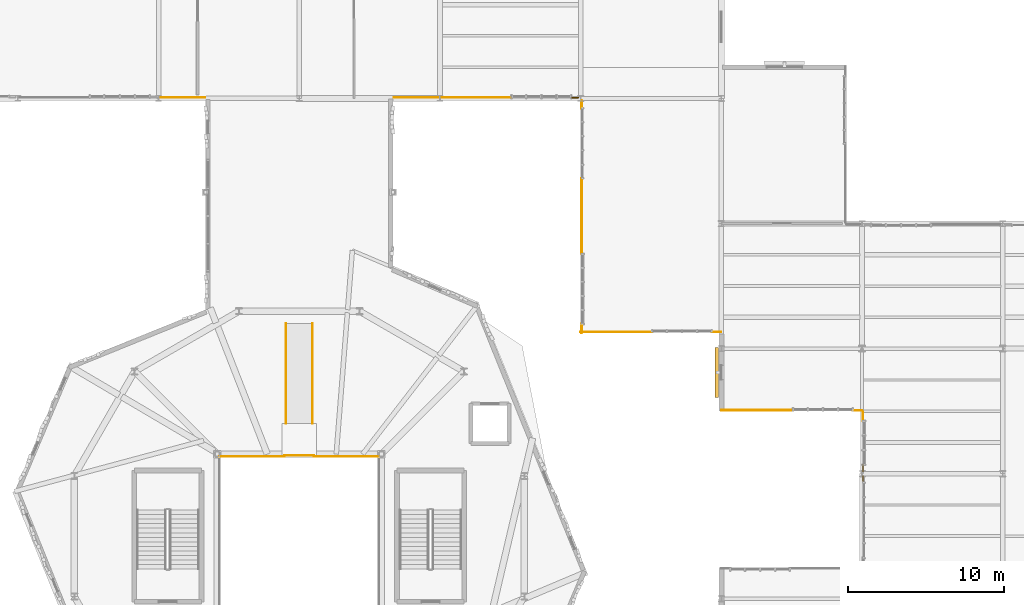
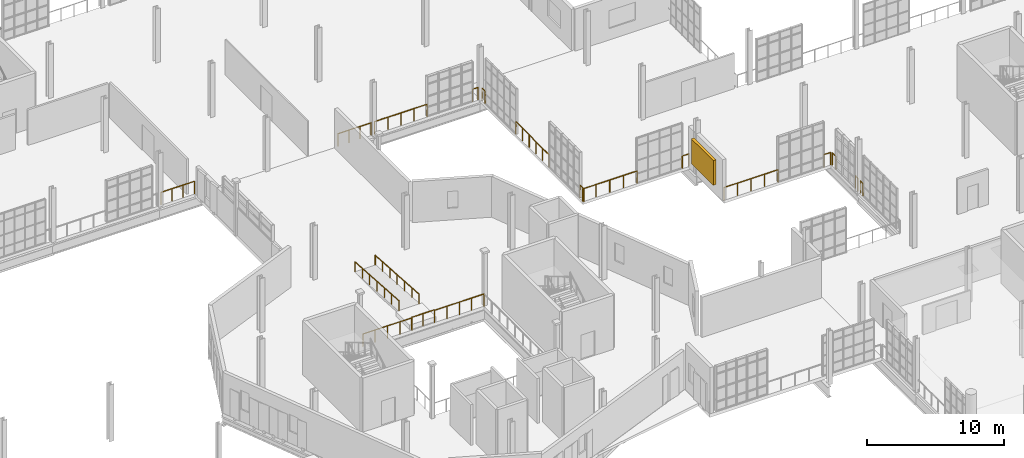
# One storey, part 116 of 122: 19 railings, 1 shading device.
"""IFC4 building model written with IfcOpenShell, lengths in metres."""

from ifc_helpers import new_model, si_unit, direction, frame, frame_2d, origin, origin_2d, place, context, subcontext, project, spatial, rectangle, circle, extrude, material, type_object, element, save


model = new_model("IFC4")

# Units and contexts
model_context = context("Model", 3, precision=1e-05, world=origin(), true_north=direction((0.0, 1.0)))
body_context = subcontext(model_context, "Body", "Model", "MODEL_VIEW")
ifc_project = project(units=[si_unit("LENGTHUNIT", "METRE"), si_unit("AREAUNIT", "SQUARE_METRE"), si_unit("VOLUMEUNIT", "CUBIC_METRE"), si_unit("PLANEANGLEUNIT", "RADIAN"), si_unit("MASSUNIT", "GRAM", prefix="KILO"), si_unit("THERMODYNAMICTEMPERATUREUNIT", "KELVIN"), si_unit("POWERUNIT", "WATT")], contexts=[model_context])

# Site, building, storey
site_placement = place(None, origin())
site = spatial("IfcSite", under=ifc_project, at=site_placement, CompositionType="ELEMENT")
building_placement = place(site_placement, origin())
building = spatial("IfcBuilding", under=site, at=building_placement, Name="Zelmaris Science Centre", CompositionType="ELEMENT")
storey_placement = place(building_placement, frame((0.0, 0.0, 10.800048828125)))
storey = spatial("IfcBuildingStorey", under=building, at=storey_placement, Name="L02", CompositionType="ELEMENT", Elevation=10.800048828125)

# Railings
ifc_material = material(Name="Architectural bronze alloy C28000")
railing_type_1 = type_object("IfcRailingType", Name="Balustrade GD-01 H1120", PredefinedType="BALUSTRADE", material=ifc_material)
for number, where, name in (
    (1, (86.10009765625, 41.10009765625, 0.0), "L02 Atrium void balustrade 12"),
    (2, (80.050048828125, 41.10009765625, 0.0), "L02 Atrium void balustrade 13"),
):
    element("IfcRailing", number, at=place(storey_placement, frame(where)), inside=storey, type_object=railing_type_1, Name=name, PredefinedType="BALUSTRADE", context=body_context, shape_type="SweptSolid", body=[
        extrude(circle(Radius=0.02392578125, at=origin_2d()), frame((0.0, 0.0, 1.09619140625), z_axis=(-1.0, 0.0, 0.0), x_axis=(0.0, -1.0, 0.0)), (0.0, 0.0, 1.0), 4.150146484375),
        extrude(circle(Radius=0.02099609375, at=origin_2d()), origin(), (0.0, 0.0, 1.0), 1.072021484375),
        extrude(circle(Radius=0.02099609375, at=origin_2d()), frame((-1.03759765625, 0.0, 0.0)), (0.0, 0.0, 1.0), 1.072021484375),
        extrude(circle(Radius=0.02099609375, at=origin_2d()), frame((-2.0751953125, 0.0, 0.0)), (0.0, 0.0, 1.0), 1.072021484375),
        extrude(circle(Radius=0.02099609375, at=origin_2d()), frame((-3.112548828125, 0.0, 0.0)), (0.0, 0.0, 1.0), 1.072021484375),
        extrude(circle(Radius=0.02099609375, at=origin_2d()), frame((-4.150146484375, 0.0, 0.0)), (0.0, 0.0, 1.0), 1.072021484375),
    ])
railing_1_placement = place(storey_placement, frame((74.962890625, 64.055419921875, 0.0)))
element("IfcRailing", 3, at=railing_1_placement, inside=storey, type_object=railing_type_1, Name="L02 Perimeter safety balustrade 160", PredefinedType="BALUSTRADE", context=body_context, shape_type="SweptSolid", body=[
    extrude(circle(Radius=0.02392578125, at=origin_2d()), frame((0.0, 0.0, 1.09619140625), z_axis=(-0.99999996615, 0.000260190798, 0.0), x_axis=(-0.000260190798, -0.99999996615, 0.0)), (0.0, 0.0, 1.0), 2.81494140625),
    extrude(circle(Radius=0.02099609375, at=origin_2d()), origin(), (0.0, 0.0, 1.0), 1.072021484375),
    extrude(circle(Radius=0.02099609375, at=origin_2d()), frame((-0.938232421875, 0.000244140625, 0.0)), (0.0, 0.0, 1.0), 1.072021484375),
    extrude(circle(Radius=0.02099609375, at=origin_2d()), frame((-1.876708984375, 0.00048828125, 0.0)), (0.0, 0.0, 1.0), 1.072021484375),
    extrude(circle(Radius=0.02099609375, at=origin_2d()), frame((-2.81494140625, 0.000732421875, 0.0)), (0.0, 0.0, 1.0), 1.072021484375),
])
railing_2_placement = place(storey_placement, frame((99.06005859375, 49.0, 0.0)))
element("IfcRailing", 4, at=railing_2_placement, inside=storey, type_object=railing_type_1, Name="L02 Perimeter safety balustrade 188", PredefinedType="BALUSTRADE", context=body_context, shape_type="SweptSolid", body=[
    extrude(circle(Radius=0.02392578125, at=origin_2d()), frame((0.0, 0.0, 1.09619140625), z_axis=(0.0, 1.0, 0.0), x_axis=(-1.0, 0.0, 0.0)), (0.0, 0.0, 1.0), 0.570068359375),
    extrude(circle(Radius=0.02099609375, at=origin_2d()), origin(), (0.0, 0.0, 1.0), 1.072021484375),
    extrude(circle(Radius=0.02099609375, at=origin_2d()), frame((0.0, 0.570068359375, 0.0)), (0.0, 0.0, 1.0), 1.072021484375),
])
railing_3_placement = place(storey_placement, frame((99.06005859375, 54.050048828125, 0.0)))
element("IfcRailing", 5, at=railing_3_placement, inside=storey, type_object=railing_type_1, Name="L02 Perimeter safety balustrade 189", PredefinedType="BALUSTRADE", context=body_context, shape_type="SweptSolid", body=[
    extrude(circle(Radius=0.02392578125, at=origin_2d()), frame((0.0, 0.0, 1.09619140625), z_axis=(0.0, 1.0, 0.0), x_axis=(-1.0, 0.0, 0.0)), (0.0, 0.0, 1.0), 4.83984375),
    extrude(circle(Radius=0.02099609375, at=origin_2d()), origin(), (0.0, 0.0, 1.0), 1.072021484375),
    extrude(circle(Radius=0.02099609375, at=origin_2d()), frame((0.0, 0.968017578125, 0.0)), (0.0, 0.0, 1.0), 1.072021484375),
    extrude(circle(Radius=0.02099609375, at=origin_2d()), frame((0.0, 1.93603515625, 0.0)), (0.0, 0.0, 1.0), 1.072021484375),
    extrude(circle(Radius=0.02099609375, at=origin_2d()), frame((0.0, 2.90380859375, 0.0)), (0.0, 0.0, 1.0), 1.072021484375),
    extrude(circle(Radius=0.02099609375, at=origin_2d()), frame((0.0, 3.871826171875, 0.0)), (0.0, 0.0, 1.0), 1.072021484375),
    extrude(circle(Radius=0.02099609375, at=origin_2d()), frame((0.0, 4.83984375, 0.0)), (0.0, 0.0, 1.0), 1.072021484375),
])
railing_4_placement = place(storey_placement, frame((99.06005859375, 63.3701171875, 0.0)))
element("IfcRailing", 6, at=railing_4_placement, inside=storey, type_object=railing_type_1, Name="L02 Perimeter safety balustrade 190", PredefinedType="BALUSTRADE", context=body_context, shape_type="SweptSolid", body=[
    extrude(circle(Radius=0.02392578125, at=origin_2d()), frame((0.0, 0.0, 1.09619140625), z_axis=(0.0, 1.0, 0.0), x_axis=(-1.0, 0.0, 0.0)), (0.0, 0.0, 1.0), 0.48193359375),
    extrude(circle(Radius=0.02099609375, at=origin_2d()), origin(), (0.0, 0.0, 1.0), 1.072021484375),
    extrude(circle(Radius=0.02099609375, at=origin_2d()), frame((0.0, 0.48193359375, 0.0)), (0.0, 0.0, 1.0), 1.072021484375),
])
railing_5_placement = place(storey_placement, frame((98.85205078125, 64.052978515625, 0.0)))
element("IfcRailing", 7, at=railing_5_placement, inside=storey, type_object=railing_type_1, Name="L02 Perimeter safety balustrade 191", PredefinedType="BALUSTRADE", context=body_context, shape_type="SweptSolid", body=[
    extrude(circle(Radius=0.02392578125, at=origin_2d()), frame((0.0, 0.0, 1.09619140625), z_axis=(-0.999999855163, 0.000538213054, 0.0), x_axis=(-0.000538213054, -0.999999855163, 0.0)), (0.0, 0.0, 1.0), 0.45361328125),
    extrude(circle(Radius=0.02099609375, at=origin_2d()), origin(), (0.0, 0.0, 1.0), 1.072021484375),
    extrude(circle(Radius=0.02099609375, at=origin_2d()), frame((-0.45361328125, 0.000244140625, 0.0)), (0.0, 0.0, 1.0), 1.072021484375),
])
railing_6_placement = place(storey_placement, frame((94.57421875, 64.055419921875, 0.0)))
element("IfcRailing", 8, at=railing_6_placement, inside=storey, type_object=railing_type_1, Name="L02 Perimeter safety balustrade 192", PredefinedType="BALUSTRADE", context=body_context, shape_type="SweptSolid", body=[
    extrude(circle(Radius=0.02392578125, at=origin_2d()), frame((0.0, 0.0, 1.09619140625), z_axis=(-0.99999981594, 0.000606729066, 0.0), x_axis=(-0.000606729066, -0.99999981594, 0.0)), (0.0, 0.0, 1.0), 4.42626953125),
    extrude(circle(Radius=0.02099609375, at=origin_2d()), origin(), (0.0, 0.0, 1.0), 1.072021484375),
    extrude(circle(Radius=0.02099609375, at=origin_2d()), frame((-1.1064453125, 0.000732421875, 0.0)), (0.0, 0.0, 1.0), 1.072021484375),
    extrude(circle(Radius=0.02099609375, at=origin_2d()), frame((-2.213134765625, 0.00146484375, 0.0)), (0.0, 0.0, 1.0), 1.072021484375),
    extrude(circle(Radius=0.02099609375, at=origin_2d()), frame((-3.31982421875, 0.001953125, 0.0)), (0.0, 0.0, 1.0), 1.072021484375),
    extrude(circle(Radius=0.02099609375, at=origin_2d()), frame((-4.42626953125, 0.002685546875, 0.0)), (0.0, 0.0, 1.0), 1.072021484375),
])
railing_7_placement = place(storey_placement, frame((89.85205078125, 64.058349609375, 0.0)))
element("IfcRailing", 9, at=railing_7_placement, inside=storey, type_object=railing_type_1, Name="L02 Perimeter safety balustrade 193", PredefinedType="BALUSTRADE", context=body_context, shape_type="SweptSolid", body=[
    extrude(circle(Radius=0.02392578125, at=origin_2d()), frame((0.0, 0.0, 1.09619140625), z_axis=(-0.999999812666, 0.000612102019, 0.0), x_axis=(-0.000612102019, -0.999999812666, 0.0)), (0.0, 0.0, 1.0), 2.7919921875),
    extrude(circle(Radius=0.02099609375, at=origin_2d()), origin(), (0.0, 0.0, 1.0), 1.072021484375),
    extrude(circle(Radius=0.02099609375, at=origin_2d()), frame((-0.9306640625, 0.00048828125, 0.0)), (0.0, 0.0, 1.0), 1.072021484375),
    extrude(circle(Radius=0.02099609375, at=origin_2d()), frame((-1.861328125, 0.001220703125, 0.0)), (0.0, 0.0, 1.0), 1.072021484375),
    extrude(circle(Radius=0.02099609375, at=origin_2d()), frame((-2.7919921875, 0.001708984375, 0.0)), (0.0, 0.0, 1.0), 1.072021484375),
])
railing_8_placement = place(storey_placement, frame((117.055419921875, 39.429931640625, 0.0)))
element("IfcRailing", 10, at=railing_8_placement, inside=storey, type_object=railing_type_1, Name="L02 Perimeter safety balustrade 197", PredefinedType="BALUSTRADE", context=body_context, shape_type="SweptSolid", body=[
    extrude(circle(Radius=0.02392578125, at=origin_2d()), frame((0.0, 0.0, 1.09619140625), z_axis=(0.001173708112, 0.999999311204, 0.0), x_axis=(-0.999999311204, 0.001173708112, 0.0)), (0.0, 0.0, 1.0), 0.416015625),
    extrude(circle(Radius=0.02099609375, at=origin_2d()), origin(), (0.0, 0.0, 1.0), 1.072021484375),
    extrude(circle(Radius=0.02099609375, at=origin_2d()), frame((0.00048828125, 0.416015625, 0.0)), (0.0, 0.0, 1.0), 1.072021484375),
])
railing_9_placement = place(storey_placement, frame((117.05615234375, 40.15380859375, 0.0)))
element("IfcRailing", 11, at=railing_9_placement, inside=storey, type_object=railing_type_1, Name="L02 Perimeter safety balustrade 198", PredefinedType="BALUSTRADE", context=body_context, shape_type="SweptSolid", body=[
    extrude(circle(Radius=0.02392578125, at=origin_2d()), frame((0.0, 0.0, 1.09619140625), z_axis=(0.001173019721, 0.999999312012, 0.0), x_axis=(-0.999999312012, 0.001173019721, 0.0)), (0.0, 0.0, 1.0), 0.416259765625),
    extrude(circle(Radius=0.02099609375, at=origin_2d()), origin(), (0.0, 0.0, 1.0), 1.072021484375),
    extrude(circle(Radius=0.02099609375, at=origin_2d()), frame((0.00048828125, 0.416259765625, 0.0)), (0.0, 0.0, 1.0), 1.072021484375),
])
railing_10_placement = place(storey_placement, frame((117.059326171875, 43.3701171875, 0.0)))
element("IfcRailing", 12, at=railing_10_placement, inside=storey, type_object=railing_type_1, Name="L02 Perimeter safety balustrade 199", PredefinedType="BALUSTRADE", context=body_context, shape_type="SweptSolid", body=[
    extrude(circle(Radius=0.02392578125, at=origin_2d()), frame((0.0, 0.0, 1.09619140625), z_axis=(0.001285345982, 0.999999173943, 0.0), x_axis=(-0.999999173943, 0.001285345982, 0.0)), (0.0, 0.0, 1.0), 0.56982421875),
    extrude(circle(Radius=0.02099609375, at=origin_2d()), origin(), (0.0, 0.0, 1.0), 1.072021484375),
    extrude(circle(Radius=0.02099609375, at=origin_2d()), frame((0.000732421875, 0.56982421875, 0.0)), (0.0, 0.0, 1.0), 1.072021484375),
])
railing_11_placement = place(storey_placement, frame((116.978271484375, 44.04638671875, 0.0)))
element("IfcRailing", 13, at=railing_11_placement, inside=storey, type_object=railing_type_1, Name="L02 Perimeter safety balustrade 200", PredefinedType="BALUSTRADE", context=body_context, shape_type="SweptSolid", body=[
    extrude(circle(Radius=0.02392578125, at=origin_2d()), frame((0.0, 0.0, 1.09619140625), z_axis=(-0.99999917465, 0.001284795513, 0.0), x_axis=(-0.001284795513, -0.99999917465, 0.0)), (0.0, 0.0, 1.0), 0.570068359375),
    extrude(circle(Radius=0.02099609375, at=origin_2d()), origin(), (0.0, 0.0, 1.0), 1.072021484375),
    extrude(circle(Radius=0.02099609375, at=origin_2d()), frame((-0.570068359375, 0.000732421875, 0.0)), (0.0, 0.0, 1.0), 1.072021484375),
])
railing_12_placement = place(storey_placement, frame((112.5791015625, 44.052978515625, 0.0)))
element("IfcRailing", 14, at=railing_12_placement, inside=storey, type_object=railing_type_1, Name="L02 Perimeter safety balustrade 201", PredefinedType="BALUSTRADE", context=body_context, shape_type="SweptSolid", body=[
    extrude(circle(Radius=0.02392578125, at=origin_2d()), frame((0.0, 0.0, 1.09619140625), z_axis=(-0.999998804551, 0.001546252484, 0.0), x_axis=(-0.001546252484, -0.999998804551, 0.0)), (0.0, 0.0, 1.0), 4.578857421875),
    extrude(circle(Radius=0.02099609375, at=origin_2d()), origin(), (0.0, 0.0, 1.0), 1.072021484375),
    extrude(circle(Radius=0.02099609375, at=origin_2d()), frame((-1.144775390625, 0.001708984375, 0.0)), (0.0, 0.0, 1.0), 1.072021484375),
    extrude(circle(Radius=0.02099609375, at=origin_2d()), frame((-2.28955078125, 0.00341796875, 0.0)), (0.0, 0.0, 1.0), 1.072021484375),
    extrude(circle(Radius=0.02099609375, at=origin_2d()), frame((-3.43408203125, 0.00537109375, 0.0)), (0.0, 0.0, 1.0), 1.072021484375),
    extrude(circle(Radius=0.02099609375, at=origin_2d()), frame((-4.578857421875, 0.007080078125, 0.0)), (0.0, 0.0, 1.0), 1.072021484375),
])
railing_13_placement = place(storey_placement, frame((107.95751953125, 49.057373046875, 0.0)))
element("IfcRailing", 15, at=railing_13_placement, inside=storey, type_object=railing_type_1, Name="L02 Perimeter safety balustrade 202", PredefinedType="BALUSTRADE", context=body_context, shape_type="SweptSolid", body=[
    extrude(circle(Radius=0.02392578125, at=origin_2d()), frame((0.0, 0.0, 1.09619140625), z_axis=(-0.999999908294, 0.000428265485, 0.0), x_axis=(-0.000428265485, -0.999999908294, 0.0)), (0.0, 0.0, 1.0), 0.570068359375),
    extrude(circle(Radius=0.02099609375, at=origin_2d()), origin(), (0.0, 0.0, 1.0), 1.072021484375),
    extrude(circle(Radius=0.02099609375, at=origin_2d()), frame((-0.570068359375, 0.000244140625, 0.0)), (0.0, 0.0, 1.0), 1.072021484375),
])
railing_14_placement = place(storey_placement, frame((103.568603515625, 49.05859375, 0.0)))
element("IfcRailing", 16, at=railing_14_placement, inside=storey, type_object=railing_type_1, Name="L02 Perimeter safety balustrade 203", PredefinedType="BALUSTRADE", context=body_context, shape_type="SweptSolid", body=[
    extrude(circle(Radius=0.02392578125, at=origin_2d()), frame((0.0, 0.0, 1.09619140625), z_axis=(-0.999999948597, 0.000320632699, 0.0), x_axis=(-0.000320632699, -0.999999948597, 0.0)), (0.0, 0.0, 1.0), 4.568603515625),
    extrude(circle(Radius=0.02099609375, at=origin_2d()), origin(), (0.0, 0.0, 1.0), 1.072021484375),
    extrude(circle(Radius=0.02099609375, at=origin_2d()), frame((-1.14208984375, 0.00048828125, 0.0)), (0.0, 0.0, 1.0), 1.072021484375),
    extrude(circle(Radius=0.02099609375, at=origin_2d()), frame((-2.2841796875, 0.000732421875, 0.0)), (0.0, 0.0, 1.0), 1.072021484375),
    extrude(circle(Radius=0.02099609375, at=origin_2d()), frame((-3.426513671875, 0.0009765625, 0.0)), (0.0, 0.0, 1.0), 1.072021484375),
    extrude(circle(Radius=0.02099609375, at=origin_2d()), frame((-4.568603515625, 0.00146484375, 0.0)), (0.0, 0.0, 1.0), 1.072021484375),
])
railing_15_placement = place(storey_placement, frame((81.949951171875, 41.159912109375, 0.0)))
element("IfcRailing", 17, at=railing_15_placement, inside=storey, type_object=railing_type_1, Name="L02 Perimeter safety balustrade 204", PredefinedType="BALUSTRADE", context=body_context, shape_type="SweptSolid", body=[
    extrude(circle(Radius=0.02392578125, at=origin_2d()), frame((0.0, 0.0, 1.09619140625), z_axis=(-1.0, 0.0, 0.0), x_axis=(0.0, -1.0, 0.0)), (0.0, 0.0, 1.0), 1.89990234375),
    extrude(circle(Radius=0.02099609375, at=origin_2d()), origin(), (0.0, 0.0, 1.0), 1.072021484375),
    extrude(circle(Radius=0.02099609375, at=origin_2d()), frame((-0.949951171875, 0.0, 0.0)), (0.0, 0.0, 1.0), 1.072021484375),
    extrude(circle(Radius=0.02099609375, at=origin_2d()), frame((-1.89990234375, 0.0, 0.0)), (0.0, 0.0, 1.0), 1.072021484375),
])

# Shading device
shading_device_type = type_object("IfcShadingDeviceType", Name="Bronze Storm Louvre LV-02 3200x2200", PredefinedType="JALOUSIE", material=ifc_material)
shading_device_placement = place(storey_placement, frame((107.7001953125, 44.8701171875, 0.949951171875), z_axis=(0.0, 0.0, 1.0), x_axis=(-7.6295109e-05, 0.99999999709, 0.0)))
element("IfcShadingDevice", 18, at=shading_device_placement, inside=storey, type_object=shading_device_type, Name="L02 Bronze storm louvre 29", PredefinedType="JALOUSIE", context=body_context, shape_type="SweptSolid", body=[
    extrude(rectangle(XDim=3.199951171875, YDim=0.239990234375, at=frame_2d((1.60009765625, 0.0))), origin(), (0.0, 0.0, 1.0), 2.199951171875),
])

# Railings
railing_type_2 = type_object("IfcRailingType", Name="Handrail HR-01 H900", PredefinedType="HANDRAIL", material=ifc_material)
for number, where, name in (
    (19, (80.14990234375, 49.60009765625, 0.0), "L02 Atrium overlook ramp handrail 1"),
    (20, (81.85009765625, 49.60009765625, 0.0), "L02 Atrium overlook ramp handrail 2"),
):
    element("IfcRailing", number, at=place(storey_placement, frame(where)), inside=storey, type_object=railing_type_2, Name=name, PredefinedType="HANDRAIL", context=body_context, shape_type="SweptSolid", body=[
        extrude(circle(Radius=0.02392578125, at=origin_2d()), frame((0.0, 0.0, 0.8759765625), z_axis=(0.0, -0.997854503767, 0.065470522467), x_axis=(1.0, 0.0, 0.0)), (0.0, 0.0, 1.0), 6.413818359375),
        extrude(circle(Radius=0.02099609375, at=origin_2d()), origin(), (0.0, 0.0, 1.0), 0.851806640625),
        extrude(circle(Radius=0.02099609375, at=origin_2d()), frame((0.0, -1.066650390625, 0.070068359375)), (0.0, 0.0, 1.0), 0.851806640625),
        extrude(circle(Radius=0.02099609375, at=origin_2d()), frame((0.0, -2.13330078125, 0.139892578125)), (0.0, 0.0, 1.0), 0.851806640625),
        extrude(circle(Radius=0.02099609375, at=origin_2d()), frame((0.0, -3.2001953125, 0.2099609375)), (0.0, 0.0, 1.0), 0.851806640625),
        extrude(circle(Radius=0.02099609375, at=origin_2d()), frame((0.0, -4.266845703125, 0.280029296875)), (0.0, 0.0, 1.0), 0.851806640625),
        extrude(circle(Radius=0.02099609375, at=origin_2d()), frame((0.0, -5.33349609375, 0.349853515625)), (0.0, 0.0, 1.0), 0.851806640625),
        extrude(circle(Radius=0.02099609375, at=origin_2d()), frame((0.0, -6.400146484375, 0.419921875)), (0.0, 0.0, 1.0), 0.851806640625),
    ])

save(model, "model.ifc")
